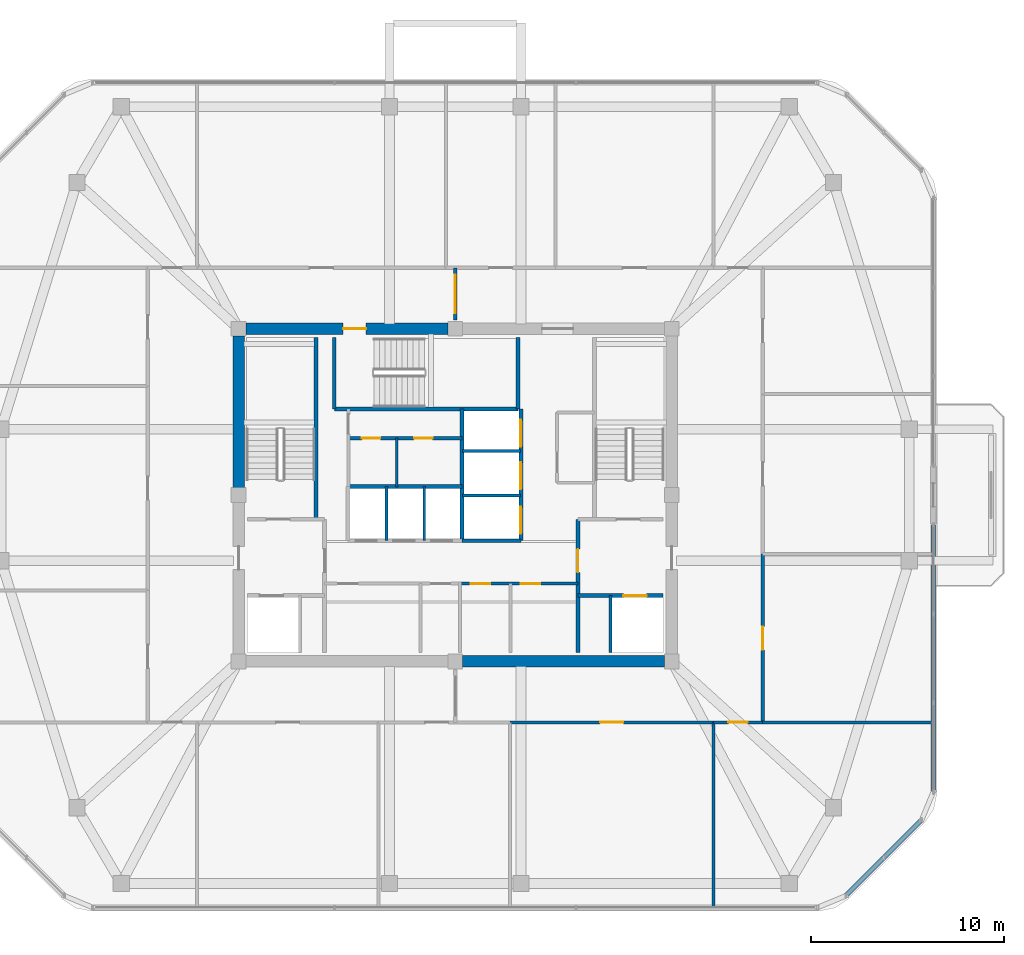
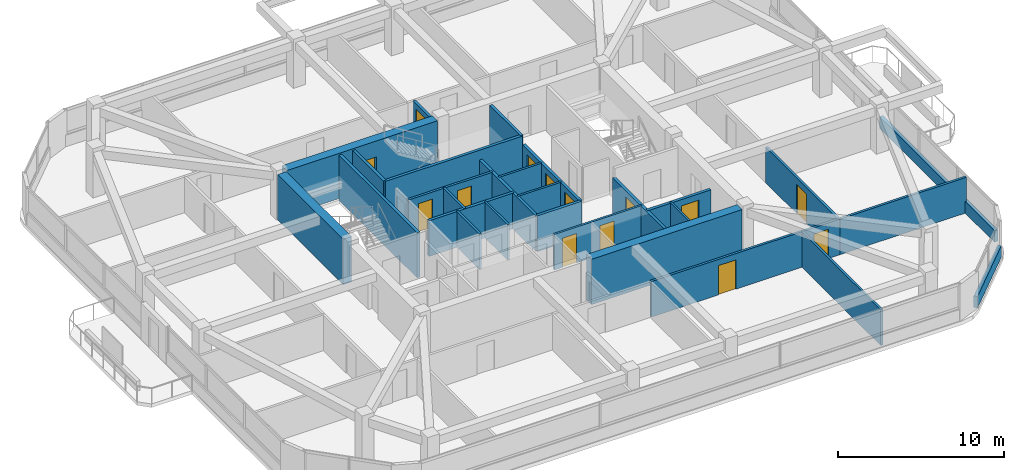
# One storey, part 10 of 14: 29 walls, 14 doors, 14 openings.
"""IFC4 building model written with IfcOpenShell, lengths in metres."""

from ifc_helpers import new_model, si_unit, derived_unit, direction, frame, frame_2d, origin, place, context, subcontext, project, spatial, rectangle, extrude, material, layer, layer_set, type_object, element, fill, save


model = new_model("IFC4")

# Units and contexts
model_context = context("Model", 3, precision=1e-05, world=origin(), true_north=direction((0.0, 1.0)))
body_context = subcontext(model_context, "Body", "Model", "MODEL_VIEW")
ifc_project = project(units=[si_unit("LENGTHUNIT", "METRE"), si_unit("AREAUNIT", "SQUARE_METRE"), si_unit("VOLUMEUNIT", "CUBIC_METRE"), si_unit("PLANEANGLEUNIT", "RADIAN"), si_unit("MASSUNIT", "GRAM", prefix="KILO"), derived_unit("THERMALTRANSMITTANCEUNIT", [(si_unit("POWERUNIT", "WATT"), 1), (si_unit("LENGTHUNIT", "METRE"), -2), (si_unit("THERMODYNAMICTEMPERATUREUNIT", "KELVIN"), -1)])], contexts=[model_context])

# Site, building, storey
site_placement = place(None, origin())
site = spatial("IfcSite", under=ifc_project, at=site_placement, CompositionType="ELEMENT")
building_placement = place(site_placement, origin())
building = spatial("IfcBuilding", under=site, at=building_placement, Name="Koralith Skygarden Medical Center", CompositionType="ELEMENT")
storey_placement = place(building_placement, frame((0.0, 0.0, 257.219970703125)))
storey = spatial("IfcBuildingStorey", under=building, at=storey_placement, Name="L66", CompositionType="ELEMENT", Elevation=257.219970703125)

# Wall, openings, doors
ifc_material_1 = material(Name="Gypsum Board Partition")
ifc_layer_1 = layer(ifc_material_1, 0.14990234375)
ifc_layer_set_1 = layer_set([ifc_layer_1], Name="Gypsum Board Partition")
wall_type_1 = type_object("IfcWallType", Name="Clinical Acoustic Partition 150", PredefinedType="PARTITIONING", material=ifc_layer_set_1)
wall_1_placement = place(storey_placement, frame((37.25, 21.320068359375, 0.0), z_axis=(0.0, 0.0, 1.0), x_axis=(1.0, 0.0, 0.0)))
wall_1 = element("IfcWall", 1, at=wall_1_placement, inside=storey, type_object=wall_type_1, Name="L66 Clinical Acoustic Partition 150 W-CORE-L66-FREED-MR-N", PredefinedType="PARTITIONING", context=body_context, shape_type="SweptSolid", body=[
    extrude(rectangle(XDim=6.10009765625, YDim=0.14990234375, at=frame_2d((3.050048828125, 0.0))), origin(), (0.0, 0.0, 1.0), 2.610107421875),
])
opening_1_placement = place(wall_1_placement, frame((0.550048828125, 0.0, 0.0)))
opening_1 = element("IfcOpeningElement", 2, at=opening_1_placement, cuts=wall_1, Name="Opening D-SUP", PredefinedType="OPENING", context=body_context, shape_type="SweptSolid", body=[
    extrude(rectangle(XDim=1.0, YDim=2.14990234375, at=frame_2d((0.5, 1.074951171875))), frame((0.0, 0.0849609375, 0.0), z_axis=(0.0, -1.0, 0.0), x_axis=(1.0, 0.0, 0.0)), (0.0, 0.0, 1.0), 0.169921875),
])
opening_2_placement = place(wall_1_placement, frame((3.14990234375, 0.0, 0.0)))
opening_2 = element("IfcOpeningElement", 3, at=opening_2_placement, cuts=wall_1, Name="Opening D-SUP", PredefinedType="OPENING", context=body_context, shape_type="SweptSolid", body=[
    extrude(rectangle(XDim=1.0, YDim=2.14990234375, at=frame_2d((0.5, 1.074951171875))), frame((0.0, 0.0849609375, 0.0), z_axis=(0.0, -1.0, 0.0), x_axis=(1.0, 0.0, 0.0)), (0.0, 0.0, 1.0), 0.169921875),
])
ifc_material_2 = material(Name="Aluminium 6063-T6", Category="aluminium")
door_type_1 = type_object("IfcDoorType", Name="Clinical Support Door D-SUP 1000", OperationType="NOTDEFINED", PredefinedType="DOOR", material=ifc_material_2)
door_1_placement = place(opening_1_placement, frame((1.0, 0.0, 0.0), z_axis=(0.0, 0.0, 1.0), x_axis=(-1.0, 0.0, 0.0)))
door_1 = element("IfcDoor", 4, at=door_1_placement, inside=storey, type_object=door_type_1, Name="L66 Satellite Pharmacy Door", OperationType="SINGLE_SWING_LEFT", OverallHeight=2.14990234375, OverallWidth=1.0, PredefinedType="DOOR", context=body_context, shape_type="SweptSolid", body=[
    extrude(rectangle(XDim=1.0, YDim=2.14990234375, at=frame_2d((0.5, 1.074951171875))), frame((0.0, 0.02490234375, 0.0), z_axis=(0.0, -1.0, 0.0), x_axis=(1.0, 0.0, 0.0)), (0.0, 0.0, 1.0), 0.050048828125),
])
fill(opening_1, door_1)
door_2_placement = place(opening_2_placement, frame((1.0, 0.0, 0.0), z_axis=(0.0, 0.0, 1.0), x_axis=(-1.0, 0.0, 0.0)))
door_2 = element("IfcDoor", 5, at=door_2_placement, inside=storey, type_object=door_type_1, Name="L66 Biomedical Equipment Door", OperationType="SINGLE_SWING_RIGHT", OverallHeight=2.14990234375, OverallWidth=1.0, PredefinedType="DOOR", context=body_context, shape_type="SweptSolid", body=[
    extrude(rectangle(XDim=1.0, YDim=2.14990234375, at=frame_2d((0.5, 1.074951171875))), frame((0.0, 0.02490234375, 0.0), z_axis=(0.0, -1.0, 0.0), x_axis=(1.0, 0.0, 0.0)), (0.0, 0.0, 1.0), 0.050048828125),
])
fill(opening_2, door_2)

# Walls
wall_2_placement = place(storey_placement, frame((33.97998046875, 26.320068359375, 0.0), z_axis=(0.0, 0.0, 1.0), x_axis=(0.0, 1.0, 0.0)))
element("IfcWall", 6, at=wall_2_placement, inside=storey, type_object=wall_type_1, Name="L66 Clinical Acoustic Partition 150 W-CORE-L66-FLEX-V3A", PredefinedType="PARTITIONING", context=body_context, shape_type="SweptSolid", body=[
    extrude(rectangle(XDim=2.52001953125, YDim=0.14990234375, at=frame_2d((1.260009765625, 0.0))), origin(), (0.0, 0.0, 1.0), 2.610107421875),
])
wall_3_placement = place(storey_placement, frame((50.35009765625, 14.14990234375, 0.0), z_axis=(0.0, 0.0, 1.0), x_axis=(0.0, -1.0, 0.0)))
element("IfcWall", 7, at=wall_3_placement, inside=storey, type_object=wall_type_1, Name="L66 Clinical Acoustic Partition 150 W-PART-L66-S-04", PredefinedType="PARTITIONING", context=body_context, shape_type="SweptSolid", body=[
    extrude(rectangle(XDim=9.5498046875, YDim=0.14990234375, at=frame_2d((4.77490234375, 0.0))), origin(), (0.0, 0.0, 1.0), 2.610107421875),
])
ifc_layer_2 = layer(ifc_material_1, 0.1650390625)
ifc_layer_set_2 = layer_set([ifc_layer_2], Name="Gypsum Board Partition")
wall_type_2 = type_object("IfcWallType", Name="Clinical Corridor Partition 165", PredefinedType="PARTITIONING", material=ifc_layer_set_2)
wall_4_placement = place(storey_placement, frame((52.89990234375, 14.14990234375, 0.0), z_axis=(0.0, 0.0, 1.0), x_axis=(1.0, 0.0, 0.0)))
element("IfcWall", 8, at=wall_4_placement, inside=storey, type_object=wall_type_2, Name="L66 Clinical Corridor Partition 165 W-WB-L66-SE", PredefinedType="PARTITIONING", context=body_context, shape_type="SweptSolid", body=[
    extrude(rectangle(XDim=8.800048828125, YDim=0.1650390625, at=frame_2d((4.39990234375, 0.0))), origin(), (0.0, 0.0, 1.0), 2.610107421875),
])

# Wall, opening, door
wall_5_placement = place(storey_placement, frame((39.842041015625, 14.14990234375, 0.0), z_axis=(0.0, 0.0, 1.0), x_axis=(1.0, 0.0, 0.0)))
wall_5 = element("IfcWall", 9, at=wall_5_placement, inside=storey, type_object=wall_type_2, Name="L66 Clinical Corridor Partition 165 W-CORR-L66-S-04", PredefinedType="PARTITIONING", context=body_context, shape_type="SweptSolid", body=[
    extrude(rectangle(XDim=10.508056640625, YDim=0.1650390625, at=frame_2d((5.25390625, 0.0))), origin(), (0.0, 0.0, 1.0), 2.610107421875),
])
opening_3_placement = place(wall_5_placement, frame((4.654052734375, 0.0, 0.0)))
opening_3 = element("IfcOpeningElement", 10, at=opening_3_placement, cuts=wall_5, Name="Opening D-CLN", PredefinedType="OPENING", context=body_context, shape_type="SweptSolid", body=[
    extrude(rectangle(XDim=1.199951171875, YDim=2.14990234375, at=frame_2d((0.60009765625, 1.074951171875))), frame((0.0, 0.092529296875, 0.0), z_axis=(0.0, -1.0, 0.0), x_axis=(1.0, 0.0, 0.0)), (0.0, 0.0, 1.0), 0.18505859375),
])
door_type_2 = type_object("IfcDoorType", Name="Clinical Corridor Door D-CLN 1200", OperationType="NOTDEFINED", PredefinedType="DOOR", material=ifc_material_2)
door_3_placement = place(opening_3_placement, frame((1.199951171875, 0.0, 0.0), z_axis=(0.0, 0.0, 1.0), x_axis=(-1.0, 0.0, 0.0)))
door_3 = element("IfcDoor", 11, at=door_3_placement, inside=storey, type_object=door_type_2, Name="L66 Otolaryngology Audiology Exam Room 09 Door", OperationType="SINGLE_SWING_RIGHT", OverallHeight=2.14990234375, OverallWidth=1.199951171875, PredefinedType="DOOR", context=body_context, shape_type="SweptSolid", body=[
    extrude(rectangle(XDim=1.199951171875, YDim=2.14990234375, at=frame_2d((0.60009765625, 1.074951171875))), frame((0.0, 0.02490234375, 0.0), z_axis=(0.0, -1.0, 0.0), x_axis=(1.0, 0.0, 0.0)), (0.0, 0.0, 1.0), 0.050048828125),
])
fill(opening_3, door_3)

wall_6_placement = place(storey_placement, frame((50.35009765625, 14.14990234375, 0.0), z_axis=(0.0, 0.0, 1.0), x_axis=(1.0, 0.0, 0.0)))
wall_6 = element("IfcWall", 12, at=wall_6_placement, inside=storey, type_object=wall_type_2, Name="L66 Clinical Corridor Partition 165 W-CORR-L66-S-05", PredefinedType="PARTITIONING", context=body_context, shape_type="SweptSolid", body=[
    extrude(rectangle(XDim=2.5498046875, YDim=0.1650390625, at=frame_2d((1.27490234375, 0.0))), origin(), (0.0, 0.0, 1.0), 2.610107421875),
])
opening_4_placement = place(wall_6_placement, frame((0.77490234375, 0.0, 0.0)))
opening_4 = element("IfcOpeningElement", 13, at=opening_4_placement, cuts=wall_6, Name="Opening D-SUP", PredefinedType="OPENING", context=body_context, shape_type="SweptSolid", body=[
    extrude(rectangle(XDim=1.0, YDim=2.14990234375, at=frame_2d((0.5, 1.074951171875))), frame((0.0, 0.092529296875, 0.0), z_axis=(0.0, -1.0, 0.0), x_axis=(1.0, 0.0, 0.0)), (0.0, 0.0, 1.0), 0.18505859375),
])
door_4_placement = place(opening_4_placement, frame((1.0, 0.0, 0.0), z_axis=(0.0, 0.0, 1.0), x_axis=(-1.0, 0.0, 0.0)))
door_4 = element("IfcDoor", 14, at=door_4_placement, inside=storey, type_object=door_type_1, Name="L66 Speech Swallow Treatment Room 10 Door", OperationType="SINGLE_SWING_LEFT", OverallHeight=2.14990234375, OverallWidth=1.0, PredefinedType="DOOR", context=body_context, shape_type="SweptSolid", body=[
    extrude(rectangle(XDim=1.0, YDim=2.14990234375, at=frame_2d((0.5, 1.074951171875))), frame((0.0, 0.02490234375, 0.0), z_axis=(0.0, -1.0, 0.0), x_axis=(1.0, 0.0, 0.0)), (0.0, 0.0, 1.0), 0.050048828125),
])
fill(opening_4, door_4)

wall_7_placement = place(storey_placement, frame((52.89990234375, 14.14990234375, 0.0), z_axis=(0.0, 0.0, 1.0), x_axis=(0.0, 1.0, 0.0)))
wall_7 = element("IfcWall", 15, at=wall_7_placement, inside=storey, type_object=wall_type_2, Name="L66 Clinical Corridor Partition 165 W-CORR-L66-E-01", PredefinedType="PARTITIONING", context=body_context, shape_type="SweptSolid", body=[
    extrude(rectangle(XDim=8.695068359375, YDim=0.1650390625, at=frame_2d((4.34765625, 0.0))), origin(), (0.0, 0.0, 1.0), 2.610107421875),
])
opening_5_placement = place(wall_7_placement, frame((3.7470703125, 0.0, 0.0)))
opening_5 = element("IfcOpeningElement", 16, at=opening_5_placement, cuts=wall_7, Name="Opening D-CLN", PredefinedType="OPENING", context=body_context, shape_type="SweptSolid", body=[
    extrude(rectangle(XDim=1.199951171875, YDim=2.14990234375, at=frame_2d((0.60009765625, 1.074951171875))), frame((0.0, 0.092529296875, 0.0), z_axis=(0.0, -1.0, 0.0), x_axis=(1.0, 0.0, 0.0)), (0.0, 0.0, 1.0), 0.18505859375),
])
door_5_placement = place(opening_5_placement, origin())
door_5 = element("IfcDoor", 17, at=door_5_placement, inside=storey, type_object=door_type_2, Name="L66 Otolaryngology Audiology Exam Room 14 Door", OperationType="SINGLE_SWING_LEFT", OverallHeight=2.14990234375, OverallWidth=1.199951171875, PredefinedType="DOOR", context=body_context, shape_type="SweptSolid", body=[
    extrude(rectangle(XDim=1.199951171875, YDim=2.14990234375, at=frame_2d((0.60009765625, 1.074951171875))), frame((0.0, 0.02490234375, 0.0), z_axis=(0.0, -1.0, 0.0), x_axis=(1.0, 0.0, 0.0)), (0.0, 0.0, 1.0), 0.050048828125),
])
fill(opening_5, door_5)

ifc_layer_3 = layer(ifc_material_1, 0.199951171875)
ifc_layer_set_3 = layer_set([ifc_layer_3], Name="Gypsum Board Partition")
wall_type_3 = type_object("IfcWallType", Name="Fire Shaft Wall 200", PredefinedType="SOLIDWALL", material=ifc_layer_set_3)
wall_8_placement = place(storey_placement, frame((43.35009765625, 20.699951171875, 0.0), z_axis=(0.0, 0.0, 1.0), x_axis=(1.0, 0.0, 0.0)))
wall_8 = element("IfcWall", 18, at=wall_8_placement, inside=storey, type_object=wall_type_3, Name="L66 Fire Shaft Wall 200 W-CORE-L66-FF2-N", PredefinedType="SOLIDWALL", context=body_context, shape_type="SweptSolid", body=[
    extrude(rectangle(XDim=4.39990234375, YDim=0.199951171875, at=frame_2d((2.199951171875, 0.0))), origin(), (0.0, 0.0, 1.0), 2.610107421875),
])
opening_6_placement = place(wall_8_placement, frame((2.35009765625, 0.0, 0.0)))
opening_6 = element("IfcOpeningElement", 19, at=opening_6_placement, cuts=wall_8, Name="Opening LD-FF", PredefinedType="OPENING", context=body_context, shape_type="SweptSolid", body=[
    extrude(rectangle(XDim=1.199951171875, YDim=2.14990234375, at=frame_2d((0.60009765625, 1.074951171875))), frame((0.0, 0.10986328125, 0.0), z_axis=(0.0, -1.0, 0.0), x_axis=(1.0, 0.0, 0.0)), (0.0, 0.0, 1.0), 0.219970703125),
])
ifc_material_3 = material(Name="Steel ASTM A500 Grade C", Category="steel")
door_type_3 = type_object("IfcDoorType", Name="Fire Lift Sliding Landing Door LD-FF 1200", OperationType="NOTDEFINED", PredefinedType="DOOR", material=ifc_material_3)
door_6_placement = place(opening_6_placement, origin())
door_6 = element("IfcDoor", 20, at=door_6_placement, inside=storey, type_object=door_type_3, Name="L66 Fire Service Elevator FF2 Landing Door", OperationType="SLIDING_TO_RIGHT", OverallHeight=2.14990234375, OverallWidth=1.199951171875, PredefinedType="DOOR", context=body_context, shape_type="SweptSolid", body=[
    extrude(rectangle(XDim=1.199951171875, YDim=2.14990234375, at=frame_2d((0.60009765625, 1.074951171875))), frame((0.0, 0.02490234375, 0.0), z_axis=(0.0, -1.0, 0.0), x_axis=(1.0, 0.0, 0.0)), (0.0, 0.0, 1.0), 0.050048828125),
])
fill(opening_6, door_6)

wall_9_placement = place(storey_placement, frame((43.35009765625, 17.75, 0.0), z_axis=(0.0, 0.0, 1.0), x_axis=(0.0, 1.0, 0.0)))
wall_9 = element("IfcWall", 21, at=wall_9_placement, inside=storey, type_object=wall_type_3, Name="L66 Fire Shaft Wall 200 W-CORE-L66-FSAEE-W", PredefinedType="SOLIDWALL", context=body_context, shape_type="SweptSolid", body=[
    extrude(rectangle(XDim=6.89990234375, YDim=0.199951171875, at=frame_2d((3.449951171875, 0.0))), origin(), (0.0, 0.0, 1.0), 2.610107421875),
])
opening_7_placement = place(wall_9_placement, frame((4.14990234375, 0.0, 0.0)))
opening_7 = element("IfcOpeningElement", 22, at=opening_7_placement, cuts=wall_9, Name="Opening D-ST60", PredefinedType="OPENING", context=body_context, shape_type="SweptSolid", body=[
    extrude(rectangle(XDim=1.199951171875, YDim=2.14990234375, at=frame_2d((0.60009765625, 1.074951171875))), frame((0.0, 0.10986328125, 0.0), z_axis=(0.0, -1.0, 0.0), x_axis=(1.0, 0.0, 0.0)), (0.0, 0.0, 1.0), 0.219970703125),
])
door_type_4 = type_object("IfcDoorType", Name="Smokeproof Stair Fire Door FD60S 1200", OperationType="NOTDEFINED", PredefinedType="DOOR", material=ifc_material_3)
door_7_placement = place(opening_7_placement, frame((1.199951171875, 0.0, 0.0), z_axis=(0.0, 0.0, 1.0), x_axis=(-1.0, 0.0, 0.0)))
door_7 = element("IfcDoor", 23, at=door_7_placement, inside=storey, type_object=door_type_4, Name="L66 East Firefighting Lobby Inner Fire Door", OperationType="SINGLE_SWING_RIGHT", OverallHeight=2.14990234375, OverallWidth=1.199951171875, PredefinedType="DOOR", context=body_context, shape_type="SweptSolid", body=[
    extrude(rectangle(XDim=1.199951171875, YDim=2.14990234375, at=frame_2d((0.60009765625, 1.074951171875))), frame((0.0, 0.02490234375, 0.0), z_axis=(0.0, -1.0, 0.0), x_axis=(1.0, 0.0, 0.0)), (0.0, 0.0, 1.0), 0.050048828125),
])
fill(opening_7, door_7)

# Walls
wall_10_placement = place(storey_placement, frame((31.449951171875, 26.35009765625, 0.0), z_axis=(0.0, 0.0, 1.0), x_axis=(1.0, 0.0, 0.0)))
element("IfcWall", 24, at=wall_10_placement, inside=storey, type_object=wall_type_3, Name="L66 Fire Shaft Wall 200 W-CORE-L66-PH-N", PredefinedType="SOLIDWALL", context=body_context, shape_type="SweptSolid", body=[
    extrude(rectangle(XDim=5.900146484375, YDim=0.199951171875, at=frame_2d((2.9501953125, 0.0))), origin(), (0.0, 0.0, 1.0), 2.610107421875),
])
wall_11_placement = place(storey_placement, frame((37.35009765625, 23.5400390625, 0.0), z_axis=(0.0, 0.0, 1.0), x_axis=(0.0, 1.0, 0.0)))
element("IfcWall", 25, at=wall_11_placement, inside=storey, type_object=wall_type_3, Name="L66 Fire Shaft Wall 200 W-CORE-L66-SV-W", PredefinedType="SOLIDWALL", context=body_context, shape_type="SweptSolid", body=[
    extrude(rectangle(XDim=6.820068359375, YDim=0.199951171875, at=frame_2d((3.41015625, 0.0))), origin(), (0.0, 0.0, 1.0), 2.610107421875),
])
wall_12_placement = place(storey_placement, frame((37.35009765625, 23.5400390625, 0.0), z_axis=(0.0, 0.0, 1.0), x_axis=(1.0, 0.0, 0.0)))
element("IfcWall", 26, at=wall_12_placement, inside=storey, type_object=wall_type_3, Name="L66 Fire Shaft Wall 200 W-CORE-L66-SV-S", PredefinedType="SOLIDWALL", context=body_context, shape_type="SweptSolid", body=[
    extrude(rectangle(XDim=3.0498046875, YDim=0.199951171875, at=frame_2d((1.52490234375, 0.0))), origin(), (0.0, 0.0, 1.0), 2.610107421875),
])

# Wall, openings, doors
wall_13_placement = place(storey_placement, frame((40.39990234375, 23.5400390625, 0.0), z_axis=(0.0, 0.0, 1.0), x_axis=(0.0, 1.0, 0.0)))
wall_13 = element("IfcWall", 27, at=wall_13_placement, inside=storey, type_object=wall_type_3, Name="L66 Fire Shaft Wall 200 W-CORE-L66-SV-E", PredefinedType="SOLIDWALL", context=body_context, shape_type="SweptSolid", body=[
    extrude(rectangle(XDim=6.820068359375, YDim=0.199951171875, at=frame_2d((3.41015625, 0.0))), origin(), (0.0, 0.0, 1.0), 2.610107421875),
])
opening_8_placement = place(wall_13_placement, frame((0.35009765625, 0.0, 0.0)))
opening_8 = element("IfcOpeningElement", 28, at=opening_8_placement, cuts=wall_13, Name="Opening LD-SV", PredefinedType="OPENING", context=body_context, shape_type="SweptSolid", body=[
    extrude(rectangle(XDim=1.39990234375, YDim=2.199951171875, at=frame_2d((0.699951171875, 1.10009765625))), frame((0.0, 0.10986328125, 0.0), z_axis=(0.0, -1.0, 0.0), x_axis=(1.0, 0.0, 0.0)), (0.0, 0.0, 1.0), 0.219970703125),
])
opening_9_placement = place(wall_13_placement, frame((2.64990234375, 0.0, 0.0)))
opening_9 = element("IfcOpeningElement", 29, at=opening_9_placement, cuts=wall_13, Name="Opening LD-SV", PredefinedType="OPENING", context=body_context, shape_type="SweptSolid", body=[
    extrude(rectangle(XDim=1.39990234375, YDim=2.199951171875, at=frame_2d((0.699951171875, 1.10009765625))), frame((0.0, 0.10986328125, 0.0), z_axis=(0.0, -1.0, 0.0), x_axis=(1.0, 0.0, 0.0)), (0.0, 0.0, 1.0), 0.219970703125),
])
opening_10_placement = place(wall_13_placement, frame((4.85009765625, 0.0, 0.0)))
opening_10 = element("IfcOpeningElement", 30, at=opening_10_placement, cuts=wall_13, Name="Opening LD-SV", PredefinedType="OPENING", context=body_context, shape_type="SweptSolid", body=[
    extrude(rectangle(XDim=1.39990234375, YDim=2.199951171875, at=frame_2d((0.699951171875, 1.10009765625))), frame((0.0, 0.10986328125, 0.0), z_axis=(0.0, -1.0, 0.0), x_axis=(1.0, 0.0, 0.0)), (0.0, 0.0, 1.0), 0.219970703125),
])
door_type_5 = type_object("IfcDoorType", Name="Bed Lift Sliding Landing Door LD-SV 1400", OperationType="NOTDEFINED", PredefinedType="DOOR", material=ifc_material_3)
door_8_placement = place(opening_8_placement, origin())
door_8 = element("IfcDoor", 31, at=door_8_placement, inside=storey, type_object=door_type_5, Name="L66 Bed Elevator BD1 Landing Door", OperationType="SLIDING_TO_LEFT", OverallHeight=2.199951171875, OverallWidth=1.39990234375, PredefinedType="DOOR", context=body_context, shape_type="SweptSolid", body=[
    extrude(rectangle(XDim=1.39990234375, YDim=2.199951171875, at=frame_2d((0.699951171875, 1.10009765625))), frame((0.0, 0.02490234375, 0.0), z_axis=(0.0, -1.0, 0.0), x_axis=(1.0, 0.0, 0.0)), (0.0, 0.0, 1.0), 0.050048828125),
])
fill(opening_8, door_8)
door_9_placement = place(opening_9_placement, origin())
door_9 = element("IfcDoor", 32, at=door_9_placement, inside=storey, type_object=door_type_5, Name="L66 Service Elevator BD2 Landing Door", OperationType="SLIDING_TO_LEFT", OverallHeight=2.199951171875, OverallWidth=1.39990234375, PredefinedType="DOOR", context=body_context, shape_type="SweptSolid", body=[
    extrude(rectangle(XDim=1.39990234375, YDim=2.199951171875, at=frame_2d((0.699951171875, 1.10009765625))), frame((0.0, 0.02490234375, 0.0), z_axis=(0.0, -1.0, 0.0), x_axis=(1.0, 0.0, 0.0)), (0.0, 0.0, 1.0), 0.050048828125),
])
fill(opening_9, door_9)
door_10_placement = place(opening_10_placement, origin())
door_10 = element("IfcDoor", 33, at=door_10_placement, inside=storey, type_object=door_type_5, Name="L66 Trauma Elevator TR1 Landing Door", OperationType="SLIDING_TO_RIGHT", OverallHeight=2.199951171875, OverallWidth=1.39990234375, PredefinedType="DOOR", context=body_context, shape_type="SweptSolid", body=[
    extrude(rectangle(XDim=1.39990234375, YDim=2.199951171875, at=frame_2d((0.699951171875, 1.10009765625))), frame((0.0, 0.02490234375, 0.0), z_axis=(0.0, -1.0, 0.0), x_axis=(1.0, 0.0, 0.0)), (0.0, 0.0, 1.0), 0.050048828125),
])
fill(opening_10, door_10)

# Wall, opening, door
ifc_layer_4 = layer(ifc_material_1, 0.179931640625)
ifc_layer_set_4 = layer_set([ifc_layer_4], Name="Gypsum Board Partition")
wall_type_4 = type_object("IfcWallType", Name="Group I-2 Smoke Barrier Wall 180", PredefinedType="PARTITIONING", material=ifc_layer_set_4)
wall_14_placement = place(storey_placement, frame((37.0, 34.949951171875, 0.0), z_axis=(0.0, 0.0, 1.0), x_axis=(0.0, 1.0, 0.0)))
wall_14 = element("IfcWall", 34, at=wall_14_placement, inside=storey, type_object=wall_type_4, Name="L66 Group I-2 Smoke Barrier Wall 180 W-SMK-L66-N", PredefinedType="PARTITIONING", context=body_context, shape_type="SweptSolid", body=[
    extrude(rectangle(XDim=2.699951171875, YDim=0.179931640625, at=frame_2d((1.35009765625, 0.0))), origin(), (0.0, 0.0, 1.0), 2.610107421875),
])
opening_11_placement = place(wall_14_placement, frame((0.35009765625, 0.0, 0.0)))
opening_11 = element("IfcOpeningElement", 35, at=opening_11_placement, cuts=wall_14, Name="Opening D-SMK", PredefinedType="OPENING", context=body_context, shape_type="SweptSolid", body=[
    extrude(rectangle(XDim=2.0, YDim=2.199951171875, at=frame_2d((1.0, 1.10009765625))), frame((0.0, 0.099853515625, 0.0), z_axis=(0.0, -1.0, 0.0), x_axis=(1.0, 0.0, 0.0)), (0.0, 0.0, 1.0), 0.199951171875),
])
door_type_6 = type_object("IfcDoorType", Name="Cross-Corridor Double Smoke Door FD60S 2000", OperationType="NOTDEFINED", PredefinedType="DOOR", material=ifc_material_3)
door_11_placement = place(opening_11_placement, origin())
door_11 = element("IfcDoor", 36, at=door_11_placement, inside=storey, type_object=door_type_6, Name="L66 N Smoke Compartment Cross-Corridor Door", OperationType="DOUBLE_DOOR_SINGLE_SWING", OverallHeight=2.199951171875, OverallWidth=2.0, PredefinedType="DOOR", context=body_context, shape_type="SweptSolid", body=[
    extrude(rectangle(XDim=2.0, YDim=2.199951171875, at=frame_2d((1.0, 1.10009765625))), frame((0.0, 0.02490234375, 0.0), z_axis=(0.0, -1.0, 0.0), x_axis=(1.0, 0.0, 0.0)), (0.0, 0.0, 1.0), 0.050048828125),
])
fill(opening_11, door_11)

# Walls
ifc_material_4 = material(Name="Warm Oolitic Limestone Cladding", Category="masonry")
ifc_layer_5 = layer(ifc_material_4, 0.239990234375)
ifc_layer_set_5 = layer_set([ifc_layer_5], Name="Warm Oolitic Limestone Cladding")
wall_type_5 = type_object("IfcWallType", Name="Limestone Spandrel Sill Backup Wall 240", PredefinedType="SOLIDWALL", material=ifc_layer_set_5)
wall_15_placement = place(storey_placement, frame((57.196044921875, 5.180908203125, 0.0), z_axis=(0.0, 0.0, 1.0), x_axis=(0.707084777957, 0.707128783731, 0.0)))
element("IfcWall", 37, at=wall_15_placement, inside=storey, type_object=wall_type_5, Name="L66 Sill Spandrel SE", PredefinedType="SOLIDWALL", context=body_context, shape_type="SweptSolid", body=[
    extrude(rectangle(XDim=5.5478515625, YDim=0.239990234375, at=frame_2d((2.77392578125, 0.0))), origin(), (0.0, 0.0, 1.0), 0.85009765625),
])
wall_16_placement = place(storey_placement, frame((61.719970703125, 10.554931640625, 0.0), z_axis=(0.0, 0.0, 1.0), x_axis=(0.0, 1.0, 0.0)))
element("IfcWall", 38, at=wall_16_placement, inside=storey, type_object=wall_type_5, Name="L66 Sill Spandrel E-L", PredefinedType="SOLIDWALL", context=body_context, shape_type="SweptSolid", body=[
    extrude(rectangle(XDim=13.80517578125, YDim=0.239990234375, at=frame_2d((6.902587890625, 0.0))), origin(), (0.0, 0.0, 1.0), 0.85009765625),
])

# Wall, openings, doors
ifc_layer_6 = layer(ifc_material_1, 0.1650390625)
ifc_layer_set_6 = layer_set([ifc_layer_6], Name="Gypsum Board Partition")
wall_type_6 = type_object("IfcWallType", Name="Plumbing Wet Wall 165", PredefinedType="PLUMBINGWALL", material=ifc_layer_set_6)
wall_17_placement = place(storey_placement, frame((31.47998046875, 28.840087890625, 0.0), z_axis=(0.0, 0.0, 1.0), x_axis=(1.0, 0.0, 0.0)))
wall_17 = element("IfcWall", 39, at=wall_17_placement, inside=storey, type_object=wall_type_6, Name="L66 Plumbing Wet Wall 165 W-CORE-L66-FLEX-H3", PredefinedType="PLUMBINGWALL", context=body_context, shape_type="SweptSolid", body=[
    extrude(rectangle(XDim=5.8701171875, YDim=0.1650390625, at=frame_2d((2.93505859375, 0.0))), origin(), (0.0, 0.0, 1.0), 2.610107421875),
])
opening_12_placement = place(wall_17_placement, frame((0.699951171875, 0.0, 0.0)))
opening_12 = element("IfcOpeningElement", 40, at=opening_12_placement, cuts=wall_17, Name="Opening D-WC", PredefinedType="OPENING", context=body_context, shape_type="SweptSolid", body=[
    extrude(rectangle(XDim=0.949951171875, YDim=2.10009765625, at=frame_2d((0.47509765625, 1.050048828125))), frame((0.0, 0.092529296875, 0.0), z_axis=(0.0, -1.0, 0.0), x_axis=(1.0, 0.0, 0.0)), (0.0, 0.0, 1.0), 0.18505859375),
])
opening_13_placement = place(wall_17_placement, frame((3.39990234375, 0.0, 0.0)))
opening_13 = element("IfcOpeningElement", 41, at=opening_13_placement, cuts=wall_17, Name="Opening D-WC", PredefinedType="OPENING", context=body_context, shape_type="SweptSolid", body=[
    extrude(rectangle(XDim=0.949951171875, YDim=2.10009765625, at=frame_2d((0.47509765625, 1.050048828125))), frame((0.0, 0.092529296875, 0.0), z_axis=(0.0, -1.0, 0.0), x_axis=(1.0, 0.0, 0.0)), (0.0, 0.0, 1.0), 0.18505859375),
])
door_type_7 = type_object("IfcDoorType", Name="Accessible Toilet Door D-WC 950", OperationType="NOTDEFINED", PredefinedType="DOOR", material=ifc_material_2)
door_12_placement = place(opening_12_placement, frame((0.949951171875, 0.0, 0.0), z_axis=(0.0, 0.0, 1.0), x_axis=(-1.0, 0.0, 0.0)))
door_12 = element("IfcDoor", 42, at=door_12_placement, inside=storey, type_object=door_type_7, Name="L66 Core Accessible WC Door", OperationType="SINGLE_SWING_LEFT", OverallHeight=2.10009765625, OverallWidth=0.949951171875, PredefinedType="DOOR", context=body_context, shape_type="SweptSolid", body=[
    extrude(rectangle(XDim=0.949951171875, YDim=2.10009765625, at=frame_2d((0.47509765625, 1.050048828125))), frame((0.0, 0.02490234375, 0.0), z_axis=(0.0, -1.0, 0.0), x_axis=(1.0, 0.0, 0.0)), (0.0, 0.0, 1.0), 0.050048828125),
])
fill(opening_12, door_12)
door_13_placement = place(opening_13_placement, frame((0.949951171875, 0.0, 0.0), z_axis=(0.0, 0.0, 1.0), x_axis=(-1.0, 0.0, 0.0)))
door_13 = element("IfcDoor", 43, at=door_13_placement, inside=storey, type_object=door_type_7, Name="L66 Housekeeping Store Door", OperationType="SINGLE_SWING_RIGHT", OverallHeight=2.10009765625, OverallWidth=0.949951171875, PredefinedType="DOOR", context=body_context, shape_type="SweptSolid", body=[
    extrude(rectangle(XDim=0.949951171875, YDim=2.10009765625, at=frame_2d((0.47509765625, 1.050048828125))), frame((0.0, 0.02490234375, 0.0), z_axis=(0.0, -1.0, 0.0), x_axis=(1.0, 0.0, 0.0)), (0.0, 0.0, 1.0), 0.050048828125),
])
fill(opening_13, door_13)

# Walls
ifc_layer_7 = layer(ifc_material_1, 0.14990234375)
ifc_layer_set_7 = layer_set([ifc_layer_7], Name="Gypsum Board Partition")
wall_type_7 = type_object("IfcWallType", Name="Shaft Partition Wall 150", PredefinedType="PARTITIONING", material=ifc_layer_set_7)
wall_18_placement = place(storey_placement, frame((45.02001953125, 17.75, 0.0), z_axis=(0.0, 0.0, 1.0), x_axis=(0.0, 1.0, 0.0)))
element("IfcWall", 44, at=wall_18_placement, inside=storey, type_object=wall_type_7, Name="L66 Shaft Partition Wall 150 W-CORE-L66-RSRE-DIV", PredefinedType="PARTITIONING", context=body_context, shape_type="SweptSolid", body=[
    extrude(rectangle(XDim=2.949951171875, YDim=0.14990234375, at=frame_2d((1.47509765625, 0.0))), origin(), (0.0, 0.0, 1.0), 2.610107421875),
])
for number, where, z_axis, x_axis, name in (
    (45, (33.449951171875, 23.5400390625, 0.0), (0.0, 0.0, 1.0), (0.0, 1.0, 0.0), "L66 Shaft Partition Wall 150 W-CORE-L66-PH-D1"),
    (46, (35.39990234375, 23.5400390625, 0.0), (0.0, 0.0, 1.0), (0.0, 1.0, 0.0), "L66 Shaft Partition Wall 150 W-CORE-L66-PH-D2"),
):
    element("IfcWall", number, at=place(storey_placement, frame(where, z_axis=z_axis, x_axis=x_axis)), inside=storey, type_object=wall_type_7, Name=name, PredefinedType="PARTITIONING", context=body_context, shape_type="SweptSolid", body=[
        extrude(rectangle(XDim=2.81005859375, YDim=0.14990234375, at=frame_2d((1.405029296875, 0.0))), origin(), (0.0, 0.0, 1.0), 2.610107421875),
    ])
for number, where, z_axis, x_axis, name in (
    (47, (37.3701171875, 25.8701171875, 0.0), (0.0, 0.0, 1.0), (1.0, 0.0, 0.0), "L66 Shaft Partition Wall 150 W-CORE-L66-SV-D1"),
    (48, (37.3701171875, 28.169921875, 0.0), (0.0, 0.0, 1.0), (1.0, 0.0, 0.0), "L66 Shaft Partition Wall 150 W-CORE-L66-SV-D2"),
):
    element("IfcWall", number, at=place(storey_placement, frame(where, z_axis=z_axis, x_axis=x_axis)), inside=storey, type_object=wall_type_7, Name=name, PredefinedType="PARTITIONING", context=body_context, shape_type="SweptSolid", body=[
        extrude(rectangle(XDim=3.009765625, YDim=0.14990234375, at=frame_2d((1.5048828125, 0.0))), origin(), (0.0, 0.0, 1.0), 2.610107421875),
    ])
ifc_material_5 = material(Name="Concrete C45/55", Category="concrete")
ifc_layer_8 = layer(ifc_material_5, 0.199951171875)
ifc_layer_set_8 = layer_set([ifc_layer_8], Name="Concrete C45/55")
wall_type_8 = type_object("IfcWallType", Name="Structural Stair Shaft Wall 200", PredefinedType="SHEAR", material=ifc_layer_set_8)
wall_19_placement = place(storey_placement, frame((29.800048828125, 24.64990234375, 0.0), z_axis=(0.0, 0.0, 1.0), x_axis=(0.0, 1.0, 0.0)))
element("IfcWall", 49, at=wall_19_placement, inside=storey, type_object=wall_type_8, Name="L66 Structural Stair Shaft Wall 200 W-CORE-L66-ST1-E", PredefinedType="SHEAR", context=body_context, shape_type="SweptSolid", body=[
    extrude(rectangle(XDim=9.400146484375, YDim=0.199951171875, at=frame_2d((4.7001953125, 0.0))), origin(), (0.0, 0.0, 1.0), 3.320068359375),
])
wall_20_placement = place(storey_placement, frame((30.75, 30.360107421875, 0.0), z_axis=(0.0, 0.0, 1.0), x_axis=(1.0, 0.0, 0.0)))
element("IfcWall", 50, at=wall_20_placement, inside=storey, type_object=wall_type_8, Name="L66 Structural Stair Shaft Wall 200 W-CORE-L66-ST3-S", PredefinedType="SHEAR", context=body_context, shape_type="SweptSolid", body=[
    extrude(rectangle(XDim=9.5, YDim=0.199951171875, at=frame_2d((4.75, 0.0))), origin(), (0.0, 0.0, 1.0), 3.320068359375),
])
for number, where, z_axis, x_axis, name in (
    (51, (30.75, 30.360107421875, 0.0), (0.0, 0.0, 1.0), (0.0, 1.0, 0.0), "L66 Structural Stair Shaft Wall 200 W-CORE-L66-ST3-W"),
    (52, (40.25, 30.360107421875, 0.0), (0.0, 0.0, 1.0), (0.0, 1.0, 0.0), "L66 Structural Stair Shaft Wall 200 W-CORE-L66-ST3-E"),
):
    element("IfcWall", number, at=place(storey_placement, frame(where, z_axis=z_axis, x_axis=x_axis)), inside=storey, type_object=wall_type_8, Name=name, PredefinedType="SHEAR", context=body_context, shape_type="SweptSolid", body=[
        extrude(rectangle(XDim=3.68994140625, YDim=0.199951171875, at=frame_2d((1.844970703125, 0.0))), origin(), (0.0, 0.0, 1.0), 3.320068359375),
    ])
ifc_material_6 = material(Name="Concrete C55/67", Category="concrete")
ifc_layer_9 = layer(ifc_material_6, 0.60009765625)
ifc_layer_set_9 = layer_set([ifc_layer_9], Name="Concrete C55/67")
wall_type_9 = type_object("IfcWallType", Name="Upper Core Shear Wall 600", PredefinedType="SHEAR", material=ifc_layer_set_9)
wall_21_placement = place(storey_placement, frame((37.375, 17.300048828125, 0.0), z_axis=(0.0, 0.0, 1.0), x_axis=(1.0, 0.0, 0.0)))
element("IfcWall", 53, at=wall_21_placement, inside=storey, type_object=wall_type_9, Name="L66 Core Shear Wall Segment 2", PredefinedType="SHEAR", context=body_context, shape_type="SweptSolid", body=[
    extrude(rectangle(XDim=10.449951171875, YDim=0.60009765625, at=frame_2d((5.22509765625, 0.0))), origin(), (0.0, 0.0, 1.0), 3.320068359375),
])

# Wall, opening, door
wall_22_placement = place(storey_placement, frame((36.625, 34.5, 0.0), z_axis=(0.0, 0.0, 1.0), x_axis=(-1.0, 0.0, 0.0)))
wall_22 = element("IfcWall", 54, at=wall_22_placement, inside=storey, type_object=wall_type_9, Name="L66 Core Shear Wall Segment 6", PredefinedType="SHEAR", context=body_context, shape_type="SweptSolid", body=[
    extrude(rectangle(XDim=10.449951171875, YDim=0.60009765625, at=frame_2d((5.22509765625, 0.0))), origin(), (0.0, 0.0, 1.0), 3.320068359375),
])
opening_14_placement = place(wall_22_placement, frame((4.22509765625, 0.0, 0.0)))
opening_14 = element("IfcOpeningElement", 55, at=opening_14_placement, cuts=wall_22, Name="Opening D-ST60", PredefinedType="OPENING", context=body_context, shape_type="SweptSolid", body=[
    extrude(rectangle(XDim=1.199951171875, YDim=2.14990234375, at=frame_2d((0.60009765625, 1.074951171875))), frame((0.0, 0.31005859375, 0.0), z_axis=(0.0, -1.0, 0.0), x_axis=(1.0, 0.0, 0.0)), (0.0, 0.0, 1.0), 0.6201171875),
])
door_14_placement = place(opening_14_placement, frame((1.199951171875, 0.0, 0.0), z_axis=(0.0, 0.0, 1.0), x_axis=(-1.0, 0.0, 0.0)))
door_14 = element("IfcDoor", 56, at=door_14_placement, inside=storey, type_object=door_type_4, Name="L66 Exit Stair ST3 Fire Door", OperationType="SINGLE_SWING_LEFT", OverallHeight=2.14990234375, OverallWidth=1.199951171875, PredefinedType="DOOR", context=body_context, shape_type="SweptSolid", body=[
    extrude(rectangle(XDim=1.199951171875, YDim=2.14990234375, at=frame_2d((0.60009765625, 1.074951171875))), frame((0.0, 0.02490234375, 0.0), z_axis=(0.0, -1.0, 0.0), x_axis=(1.0, 0.0, 0.0)), (0.0, 0.0, 1.0), 0.050048828125),
])
fill(opening_14, door_14)

# Wall
wall_23_placement = place(storey_placement, frame((25.800048828125, 34.125, 0.0), z_axis=(0.0, 0.0, 1.0), x_axis=(0.0, -1.0, 0.0)))
element("IfcWall", 57, at=wall_23_placement, inside=storey, type_object=wall_type_9, Name="L66 Core Shear Wall Segment 7", PredefinedType="SHEAR", context=body_context, shape_type="SweptSolid", body=[
    extrude(rectangle(XDim=7.85009765625, YDim=0.60009765625, at=frame_2d((3.925048828125, 0.0))), origin(), (0.0, 0.0, 1.0), 3.320068359375),
])

save(model, "model.ifc")
